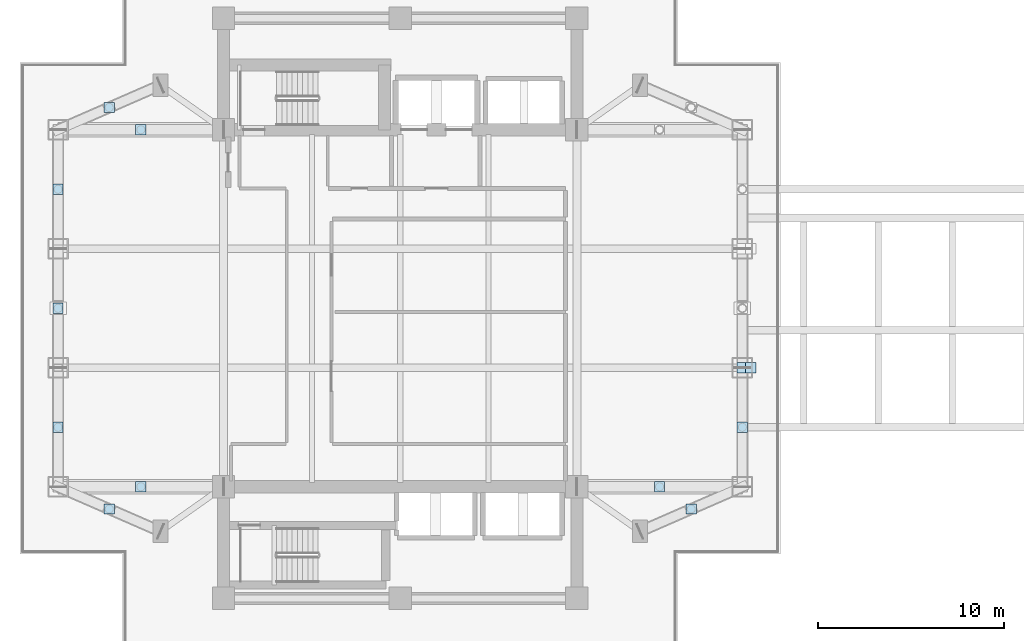
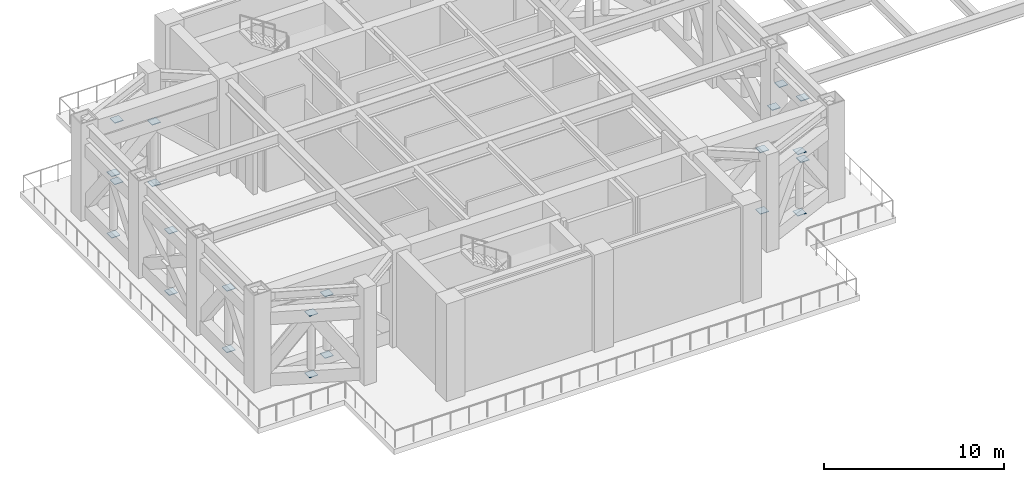
# One storey, part 9 of 21: 22 plates.
"""IFC4 building model written with IfcOpenShell, lengths in metres."""

from ifc_helpers import new_model, si_unit, direction, frame, origin, origin_2d, place, context, subcontext, project, spatial, rectangle, extrude, material, layer, layer_set, type_object, element, save


model = new_model("IFC4")

# Units and contexts
model_context = context("Model", 3, precision=1e-05, world=origin(), true_north=direction((0.0, 1.0)))
body_context = subcontext(model_context, "Body", "Model", "MODEL_VIEW")
ifc_project = project(units=[si_unit("LENGTHUNIT", "METRE"), si_unit("AREAUNIT", "SQUARE_METRE"), si_unit("VOLUMEUNIT", "CUBIC_METRE"), si_unit("PLANEANGLEUNIT", "RADIAN"), si_unit("MASSUNIT", "GRAM", prefix="KILO")], contexts=[model_context])

# Site, building, storey
site_placement = place(None, origin())
site = spatial("IfcSite", under=ifc_project, at=site_placement, CompositionType="ELEMENT")
building_placement = place(site_placement, origin())
building = spatial("IfcBuilding", under=site, at=building_placement, Name="Mirazonda Arch Towers", CompositionType="ELEMENT")
storey_placement = place(building_placement, frame((0.0, 0.0, 81.800048828125)))
storey = spatial("IfcBuildingStorey", under=building, at=storey_placement, Name="L23", CompositionType="ELEMENT", Elevation=81.800048828125)

# Plates
ifc_material = material(Name="Steel ASTM A572 Grade 50", Category="steel")
ifc_layer = layer(ifc_material, 0.030029296875, Name="PLATE-CAP-550x550x30")
ifc_layer_set = layer_set([ifc_layer], Name="Steel ASTM A572 Grade 50")
plate_type = type_object("IfcPlateType", Name="PLATE-CAP-550x550x30", PredefinedType="USERDEFINED", material=ifc_layer_set)
for number, where, z_axis, x_axis, name in (
    (1, (2.10009765625, 21.60009765625, 0.52197265625), (0.0, 0.0, 1.0), (1.0, 0.0, 0.0), "Steel end closure plate NP-BLT-L23-T1-ST01A"),
    (2, (2.10009765625, 21.60009765625, 4.68798828125), (0.0, 0.0, 1.0), (1.0, 0.0, 0.0), "Steel end closure plate NP-BLT-L23-T1-ST01B"),
    (3, (2.10009765625, 28.0, 0.52197265625), (0.0, 0.0, 1.0), (1.0, 0.0, 0.0), "Steel end closure plate NP-BLT-L23-T1-ST02A"),
    (4, (2.10009765625, 28.0, 4.68798828125), (0.0, 0.0, 1.0), (1.0, 0.0, 0.0), "Steel end closure plate NP-BLT-L23-T1-ST02B"),
    (5, (2.10009765625, 34.39990234375, 0.52197265625), (0.0, 0.0, 1.0), (1.0, 0.0, 0.0), "Steel end closure plate NP-BLT-L23-T1-ST03A"),
    (6, (2.10009765625, 34.39990234375, 4.68798828125), (0.0, 0.0, 1.0), (1.0, 0.0, 0.0), "Steel end closure plate NP-BLT-L23-T1-ST03B"),
    (7, (38.89990234375, 21.60009765625, 0.52197265625), (0.0, 0.0, 1.0), (1.0, 0.0, 0.0), "Steel end closure plate NP-BLT-L23-T1-ST04A"),
    (8, (38.89990234375, 21.60009765625, 4.68798828125), (0.0, 0.0, 1.0), (1.0, 0.0, 0.0), "Steel end closure plate NP-BLT-L23-T1-ST04B"),
    (9, (4.85009765625, 17.199951171875, 0.52197265625), (0.0, 0.0, 1.0), (1.0, 0.0, 0.0), "Steel end closure plate NP-BLT-L23-T1-ST07A"),
    (10, (4.85009765625, 17.199951171875, 4.68798828125), (0.0, 0.0, 1.0), (1.0, 0.0, 0.0), "Steel end closure plate NP-BLT-L23-T1-ST07B"),
    (11, (36.14990234375, 17.199951171875, 0.52197265625), (0.0, 0.0, 1.0), (1.0, 0.0, 0.0), "Steel end closure plate NP-BLT-L23-T1-ST08A"),
    (12, (36.14990234375, 17.199951171875, 4.68798828125), (0.0, 0.0, 1.0), (1.0, 0.0, 0.0), "Steel end closure plate NP-BLT-L23-T1-ST08B"),
    (13, (4.85009765625, 38.800048828125, 0.52197265625), (0.0, 0.0, 1.0), (1.0, 0.0, 0.0), "Steel end closure plate NP-BLT-L23-T1-ST09A"),
    (14, (4.85009765625, 38.800048828125, 4.68798828125), (0.0, 0.0, 1.0), (1.0, 0.0, 0.0), "Steel end closure plate NP-BLT-L23-T1-ST09B"),
    (15, (6.550048828125, 18.39990234375, 0.52197265625), (0.0, 0.0, 1.0), (1.0, 0.0, 0.0), "Steel end closure plate NP-OUT-L23-T1-ST01A"),
    (16, (6.550048828125, 18.39990234375, 4.68798828125), (0.0, 0.0, 1.0), (1.0, 0.0, 0.0), "Steel end closure plate NP-OUT-L23-T1-ST01B"),
    (17, (34.449951171875, 18.39990234375, 0.52197265625), (0.0, 0.0, 1.0), (1.0, 0.0, 0.0), "Steel end closure plate NP-OUT-L23-T1-ST02A"),
    (18, (34.449951171875, 18.39990234375, 4.68798828125), (0.0, 0.0, 1.0), (1.0, 0.0, 0.0), "Steel end closure plate NP-OUT-L23-T1-ST02B"),
    (19, (6.550048828125, 37.60009765625, 0.52197265625), (0.0, 0.0, 1.0), (1.0, 0.0, 0.0), "Steel end closure plate NP-OUT-L23-T1-ST03A"),
    (20, (6.550048828125, 37.60009765625, 4.68798828125), (0.0, 0.0, 1.0), (1.0, 0.0, 0.0), "Steel end closure plate NP-OUT-L23-T1-ST03B"),
    (21, (38.8974609375, 24.800048828125, 2.117431640625), (0.0, 0.0, 1.0), (1.0, 0.0, 0.0), "Steel end closure plate NP-SEAT-SB1-1A"),
    (22, (39.3525390625, 24.800048828125, 3.50244140625), (0.0, 0.0, 1.0), (1.0, 0.0, 0.0), "Steel end closure plate NP-SEAT-SB1-1B"),
):
    element("IfcPlate", number, at=place(storey_placement, frame(where, z_axis=z_axis, x_axis=x_axis)), inside=storey, type_object=plate_type, Name=name, ObjectType="CAP PLATE", PredefinedType="USERDEFINED", context=body_context, shape_type="SweptSolid", body=[
        extrude(rectangle(XDim=0.550048828125, YDim=0.550048828125, at=origin_2d()), origin(), (0.0, 0.0, 1.0), 0.0400390625),
    ])

save(model, "model.ifc")
